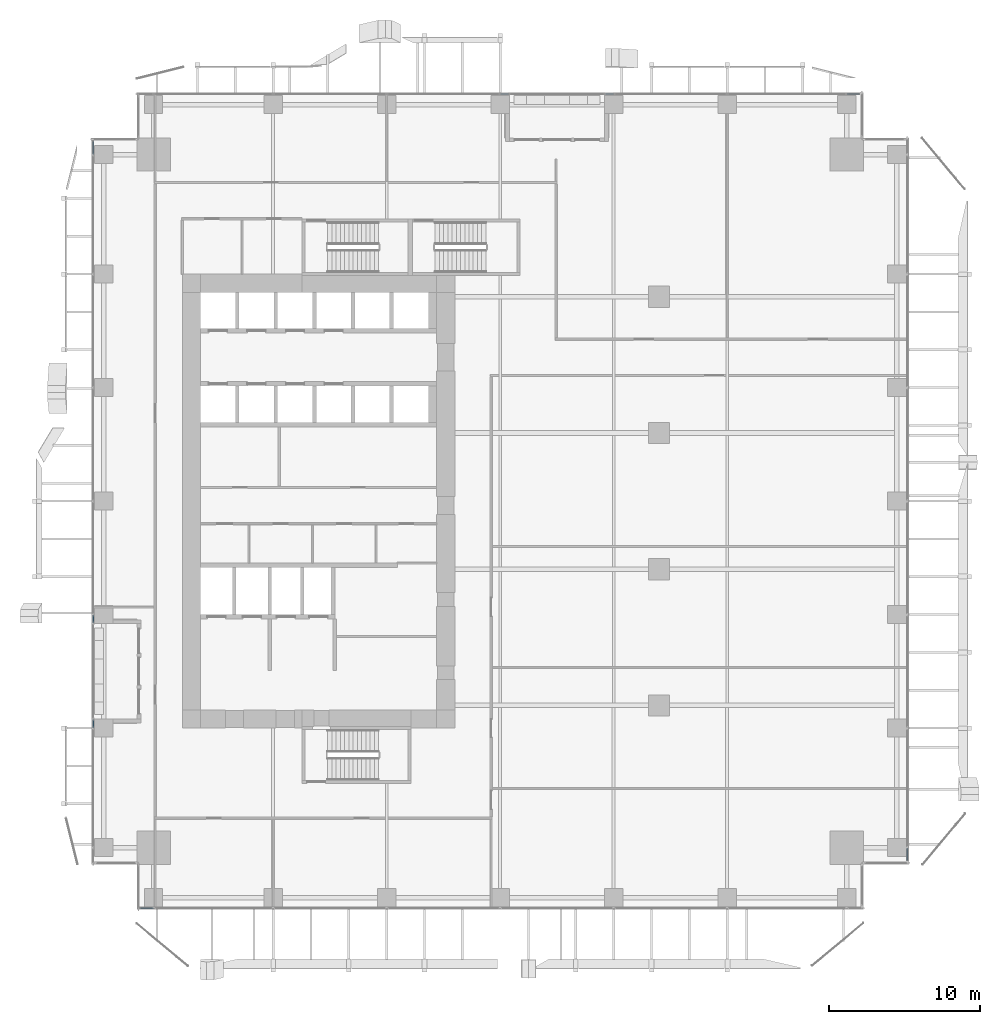
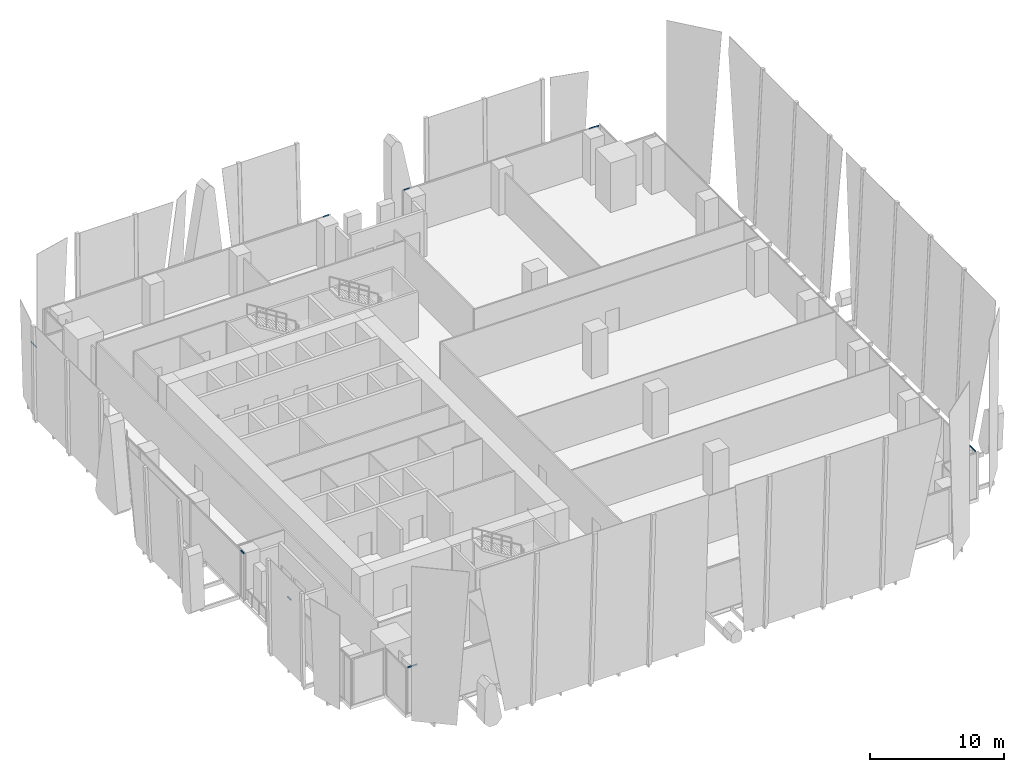
# One storey, part 21 of 35: 8 members, 6 elements without a shape of their own.
"""IFC4 building model written with IfcOpenShell, lengths in metres."""

from ifc_helpers import new_model, si_unit, direction, frame, origin, origin_2d, place, context, subcontext, project, spatial, hollow_rectangle, extrude, source, transform, mapped, material, material_profile, profile_set, type_object, element, aggregate, save


model = new_model("IFC4")

# Units and contexts
model_context = context("Model", 3, precision=1e-05, world=origin(), true_north=direction((0.0, 1.0)))
body_context = subcontext(model_context, "Body", "Model", "MODEL_VIEW")
ifc_project = project(units=[si_unit("LENGTHUNIT", "METRE"), si_unit("AREAUNIT", "SQUARE_METRE"), si_unit("VOLUMEUNIT", "CUBIC_METRE"), si_unit("PLANEANGLEUNIT", "RADIAN"), si_unit("MASSUNIT", "GRAM", prefix="KILO")], contexts=[model_context])

# Site, building, storey
site_placement = place(None, origin())
site = spatial("IfcSite", under=ifc_project, at=site_placement, CompositionType="ELEMENT")
building_placement = place(site_placement, origin())
building = spatial("IfcBuilding", under=site, at=building_placement, Name="Khomas Fold Tower", CompositionType="ELEMENT")
storey_placement = place(building_placement, frame((0.0, 0.0, 87.0)))
storey = spatial("IfcBuildingStorey", under=building, at=storey_placement, Name="L18", CompositionType="ELEMENT", Elevation=87.0)

# Curtain wall, member
ifc_material_1 = material(Name="Aluminium framed double glazing", Category="aluminium")
curtain_wall_type = type_object("IfcCurtainWallType", Name="SK-Unitised clear-glass wall, growing floors CW1", PredefinedType="NOTDEFINED", material=ifc_material_1)
curtain_wall_1_placement = place(storey_placement, origin())
curtain_wall_1 = element("IfcCurtainWall", 1, at=curtain_wall_1_placement, inside=storey, type_object=curtain_wall_type, Name="CW1 run L18 00-0", PredefinedType="NOTDEFINED")
ifc_material_2 = material(Name="Aluminium", Category="aluminium")
ifc_material_profile = material_profile(ifc_material_2, hollow_rectangle(XDim=0.06005859375, YDim=0.1201171875, WallThickness=0.00390625, at=origin_2d()), Name="SK-Unitised clear-glass wall, growing floors transom CW1-T")
ifc_profile_set = profile_set([ifc_material_profile], Name="Aluminium")
member_type = type_object("IfcMemberType", Name="SK-Unitised clear-glass wall, growing floors transom CW1-T", PredefinedType="USERDEFINED", material=ifc_profile_set)
shared_shape_1 = source(origin(), body_context, "Body", "SweptSolid", [
    extrude(hollow_rectangle(XDim=0.06005859375, YDim=0.1201171875, WallThickness=0.00390625, at=origin_2d()), origin(), (0.0, 0.0, 1.0), 0.81005859375),
])
member_1_placement = place(storey_placement, frame((3.260009765625, 0.10009765625, 4.139892578125), z_axis=(1.0, 0.0, 0.0), x_axis=(0.0, 1.0, 0.0)))
member_1 = element("IfcMember", 2, at=member_1_placement, type_object=member_type, Name="CW1 transom 1", ObjectType="TRANSOM", PredefinedType="USERDEFINED", context=body_context, shape_type="MappedRepresentation", body=[
    mapped(shared_shape_1, transform((0.0, 0.0, 0.0))),
])
aggregate(curtain_wall_1, [member_1])

curtain_wall_2_placement = place(storey_placement, origin())
curtain_wall_2 = element("IfcCurtainWall", 3, at=curtain_wall_2_placement, inside=storey, type_object=curtain_wall_type, Name="CW1 run L18 03-0", PredefinedType="NOTDEFINED")
member_2_placement = place(storey_placement, frame((53.89990234375, 3.260009765625, 4.139892578125), z_axis=(0.0, 1.0, 0.0), x_axis=(-1.0, 0.0, 0.0)))
member_2 = element("IfcMember", 4, at=member_2_placement, type_object=member_type, Name="CW1 transom 1", ObjectType="TRANSOM", PredefinedType="USERDEFINED", context=body_context, shape_type="MappedRepresentation", body=[
    mapped(shared_shape_1, transform((0.0, 0.0, 0.0))),
])
aggregate(curtain_wall_2, [member_2])

curtain_wall_3_placement = place(storey_placement, origin())
curtain_wall_3 = element("IfcCurtainWall", 5, at=curtain_wall_3_placement, inside=storey, type_object=curtain_wall_type, Name="CW1 run L18 06-0", PredefinedType="NOTDEFINED")
member_3_placement = place(storey_placement, frame((50.739990234375, 53.89990234375, 4.139892578125), z_axis=(-1.0, 0.0, 0.0), x_axis=(0.0, -1.0, 0.0)))
member_3 = element("IfcMember", 6, at=member_3_placement, type_object=member_type, Name="CW1 transom 1", ObjectType="TRANSOM", PredefinedType="USERDEFINED", context=body_context, shape_type="MappedRepresentation", body=[
    mapped(shared_shape_1, transform((0.0, 0.0, 0.0))),
])

curtain_wall_4_placement = place(storey_placement, origin())
curtain_wall_4 = element("IfcCurtainWall", 7, at=curtain_wall_4_placement, inside=storey, type_object=curtain_wall_type, Name="CW1 run L18 09-0", PredefinedType="NOTDEFINED")
member_4_placement = place(storey_placement, frame((0.10009765625, 50.739990234375, 4.139892578125), z_axis=(0.0, -1.0, 0.0), x_axis=(1.0, 0.0, 0.0)))
member_4 = element("IfcMember", 8, at=member_4_placement, type_object=member_type, Name="CW1 transom 1", ObjectType="TRANSOM", PredefinedType="USERDEFINED", context=body_context, shape_type="MappedRepresentation", body=[
    mapped(shared_shape_1, transform((0.0, 0.0, 0.0))),
])

# Member
shared_shape_2 = source(origin(), body_context, "Body", "SweptSolid", [
    extrude(hollow_rectangle(XDim=0.06005859375, YDim=0.1201171875, WallThickness=0.00390625, at=origin_2d()), origin(), (0.0, 0.0, 1.0), 0.510009765625),
])
member_5_placement = place(storey_placement, frame((34.469970703125, 53.89990234375, 4.139892578125), z_axis=(-1.0, 0.0, 0.0), x_axis=(0.0, -1.0, 0.0)))
member_5 = element("IfcMember", 9, at=member_5_placement, type_object=member_type, Name="CW1 transom 4", ObjectType="TRANSOM", PredefinedType="USERDEFINED", context=body_context, shape_type="MappedRepresentation", body=[
    mapped(shared_shape_2, transform((0.0, 0.0, 0.0))),
])

aggregate(curtain_wall_3, [member_3, member_5])

# Curtain wall, member
curtain_wall_5_placement = place(storey_placement, origin())
curtain_wall_5 = element("IfcCurtainWall", 10, at=curtain_wall_5_placement, inside=storey, type_object=curtain_wall_type, Name="CW1 run L18 06-1", PredefinedType="NOTDEFINED")
member_6_placement = place(storey_placement, frame((27.5400390625, 53.89990234375, 4.139892578125), z_axis=(-1.0, 0.0, 0.0), x_axis=(0.0, -1.0, 0.0)))
member_6 = element("IfcMember", 11, at=member_6_placement, type_object=member_type, Name="CW1 transom 1", ObjectType="TRANSOM", PredefinedType="USERDEFINED", context=body_context, shape_type="MappedRepresentation", body=[
    mapped(shared_shape_2, transform((0.0, 0.0, 0.0))),
])
aggregate(curtain_wall_5, [member_6])

# Member
member_7_placement = place(storey_placement, frame((0.10009765625, 19.469970703125, 4.139892578125), z_axis=(0.0, -1.0, 0.0), x_axis=(1.0, 0.0, 0.0)))
member_7 = element("IfcMember", 12, at=member_7_placement, type_object=member_type, Name="CW1 transom 6", ObjectType="TRANSOM", PredefinedType="USERDEFINED", context=body_context, shape_type="MappedRepresentation", body=[
    mapped(shared_shape_2, transform((0.0, 0.0, 0.0))),
])

aggregate(curtain_wall_4, [member_4, member_7])

# Curtain wall, member
curtain_wall_6_placement = place(storey_placement, origin())
curtain_wall_6 = element("IfcCurtainWall", 13, at=curtain_wall_6_placement, inside=storey, type_object=curtain_wall_type, Name="CW1 run L18 09-1", PredefinedType="NOTDEFINED")
member_8_placement = place(storey_placement, frame((0.10009765625, 12.5400390625, 4.139892578125), z_axis=(0.0, -1.0, 0.0), x_axis=(1.0, 0.0, 0.0)))
member_8 = element("IfcMember", 14, at=member_8_placement, type_object=member_type, Name="CW1 transom 1", ObjectType="TRANSOM", PredefinedType="USERDEFINED", context=body_context, shape_type="MappedRepresentation", body=[
    mapped(shared_shape_2, transform((0.0, 0.0, 0.0))),
])
aggregate(curtain_wall_6, [member_8])

save(model, "model.ifc")
